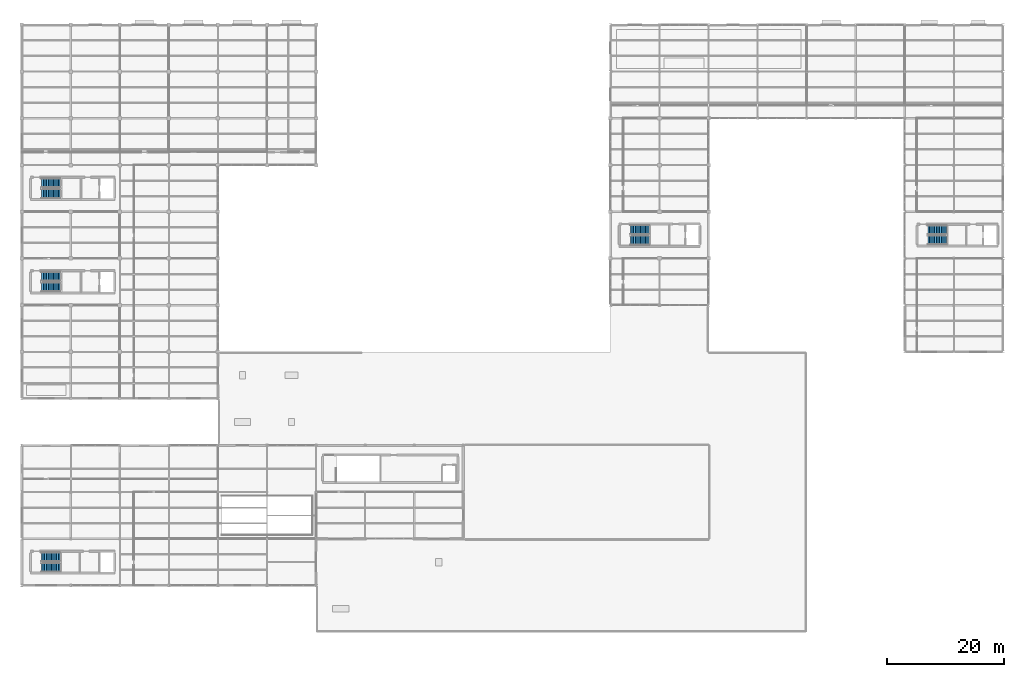
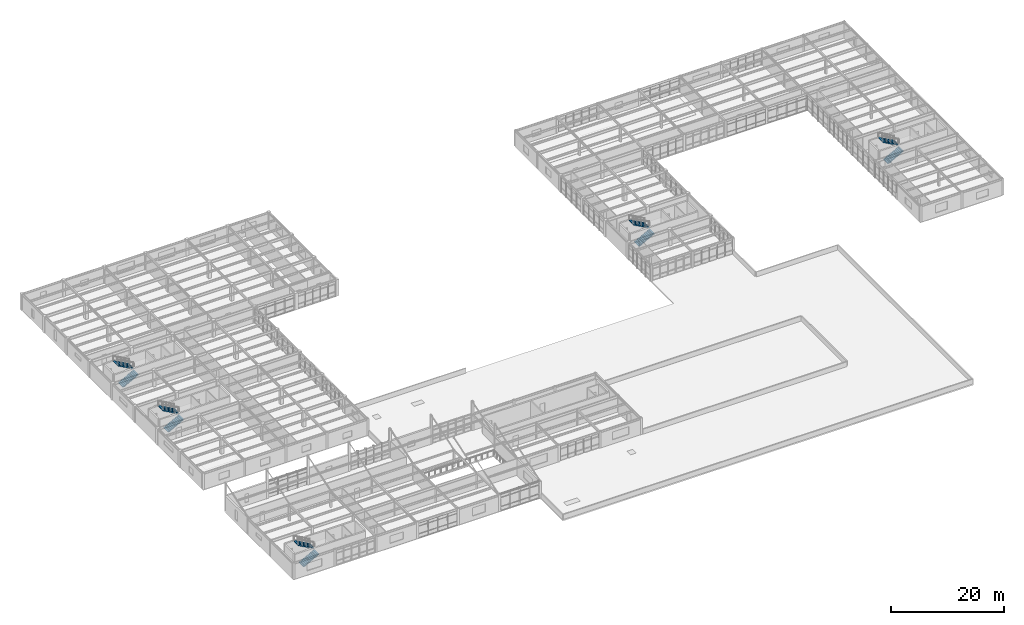
# One storey, part 55 of 96: 10 stair flights, 5 elements without a shape of their own.
"""IFC4 building model written with IfcOpenShell, lengths in metres."""

import ifcopenshell
import ifcopenshell.guid

model = None  # the IFC model being written
_history = None  # IfcOwnerHistory: only IFC2X3 demands one
_inside = {}  # id of a spatial element -> (the spatial element, [elements in it])
_under = {}  # id of a project, library or spatial element -> (it, [spatial elements below it])
_declared = {}  # id of a project -> (the project, [libraries it declares])
_typed = {}  # id of a type object -> (the type object, [elements of that type])
_made_of = {}  # id of a material, layer set ... -> (it, [elements and type objects made of it])


def new_model(schema):
    """Start an empty IFC model of exactly this schema.

    Asked for "IFC4X3", IfcOpenShell would pick the latest addendum, in which some entities
    have other attributes; the version numbers below select the first issue.
    IFC2X3 requires an IfcOwnerHistory on every rooted entity: one is made here for all.
    """
    global model, _history
    if schema == "IFC4X3":
        model = ifcopenshell.file(schema_version=(4, 3, 0, 0))
    else:
        model = ifcopenshell.file(schema=schema)
    _inside.clear()
    _under.clear()
    _declared.clear()
    _typed.clear()
    _made_of.clear()
    _history = None
    if model.schema == "IFC2X3":
        org = make("IfcOrganization", Name="unknown")
        user = make(
            "IfcPersonAndOrganization",
            ThePerson=make("IfcPerson", FamilyName="unknown"),
            TheOrganization=org,
        )
        app = make(
            "IfcApplication",
            ApplicationDeveloper=org,
            Version="unknown",
            ApplicationFullName="unknown",
            ApplicationIdentifier="unknown",
        )
        _history = make(
            "IfcOwnerHistory",
            OwningUser=user,
            OwningApplication=app,
            ChangeAction="ADDED",
            CreationDate=0,
        )
    return model


def make(cls, **values):
    """One entity of the class cls with the attributes given. An attribute that is None is left unset."""
    return model.create_entity(
        cls, **{name: value for name, value in values.items() if value is not None}
    )


def rooted(cls, **values):
    """An entity with a GlobalId (a new one), such as an element, a storey or a relation."""
    return make(cls, GlobalId=ifcopenshell.guid.new(), OwnerHistory=_history, **values)


def si_unit(unit_type, name, prefix=None):
    """IfcSIUnit, for example si_unit("LENGTHUNIT", "METRE", prefix="MILLI")."""
    return make("IfcSIUnit", UnitType=unit_type, Prefix=prefix, Name=name)


def assignment(units):
    """IfcUnitAssignment: the units of a project."""
    return None if units is None else make("IfcUnitAssignment", Units=units)


def point(xyz):
    """IfcCartesianPoint."""
    return None if xyz is None else make("IfcCartesianPoint", Coordinates=xyz)


def direction(xyz):
    """IfcDirection."""
    return None if xyz is None else make("IfcDirection", DirectionRatios=xyz)


def frame(location, z_axis=None, x_axis=None):
    """IfcAxis2Placement3D, a coordinate frame: its origin and axes. An axis left out is left unset."""
    return make(
        "IfcAxis2Placement3D",
        Location=point(location),
        Axis=direction(z_axis),
        RefDirection=direction(x_axis),
    )


def origin():
    """The frame at (0, 0, 0) with its axes left unset."""
    return frame((0.0, 0.0, 0.0))


def place(relative_to, where):
    """IfcLocalPlacement: puts the frame where relative to a parent placement (None: the world)."""
    return make(
        "IfcLocalPlacement", PlacementRelTo=relative_to, RelativePlacement=where
    )


def context(
    kind, dimensions, precision=None, world=None, true_north=None, identifier=None
):
    """IfcGeometricRepresentationContext, for example the 3D "Model" context."""
    return make(
        "IfcGeometricRepresentationContext",
        ContextIdentifier=identifier,
        ContextType=kind,
        CoordinateSpaceDimension=dimensions,
        Precision=precision,
        WorldCoordinateSystem=world,
        TrueNorth=true_north,
    )


def subcontext(parent, identifier, kind, view, scale=None):
    """IfcGeometricRepresentationSubContext, for example "Body" below "Model"."""
    return make(
        "IfcGeometricRepresentationSubContext",
        ContextIdentifier=identifier,
        ContextType=kind,
        ParentContext=parent,
        TargetScale=scale,
        TargetView=view,
    )


def project(units=None, contexts=None):
    """IfcProject with its units and contexts."""
    return rooted(
        "IfcProject",
        Name="project",
        RepresentationContexts=contexts,
        UnitsInContext=assignment(units),
    )


def spatial(cls, under=None, at=None, **own):
    """A site, building, storey or space (cls), placed at a placement, below another one or the project."""
    s = rooted(cls, ObjectPlacement=at, **own)
    if under is not None:
        _under.setdefault(under.id(), (under, []))[1].append(s)
    return s


def polyline(points):
    """IfcPolyline through the points."""
    return make("IfcPolyline", Points=[point(p) for p in points])


def outline(outer, holes=None, kind="AREA"):
    """IfcArbitraryClosedProfileDef: a profile drawn as a closed curve; with holes, ...WithVoids."""
    if holes is None:
        return make("IfcArbitraryClosedProfileDef", ProfileType=kind, OuterCurve=outer)
    return make(
        "IfcArbitraryProfileDefWithVoids",
        ProfileType=kind,
        OuterCurve=outer,
        InnerCurves=holes,
    )


def extrude(swept, where, along, depth):
    """IfcExtrudedAreaSolid: the profile swept, set in the frame where, extruded along a direction by depth."""
    return make(
        "IfcExtrudedAreaSolid",
        SweptArea=swept,
        Position=where,
        ExtrudedDirection=direction(along),
        Depth=depth,
    )


def shape(context_of_items, identifier, shape_type, items):
    """IfcShapeRepresentation: the items that make up one representation, for example the "Body"."""
    return make(
        "IfcShapeRepresentation",
        ContextOfItems=context_of_items,
        RepresentationIdentifier=identifier,
        RepresentationType=shape_type,
        Items=items,
    )


def material(Name=None, Category=None):
    """IfcMaterial."""
    return make("IfcMaterial", Name=Name, Category=Category)


def made_of(thing, what):
    """Note that an element or type object is made of a material, layer set ...; save() writes the relation."""
    if what is not None:
        _made_of.setdefault(what.id(), (what, []))[1].append(thing)
    return thing


def type_object(cls, material=None, **own):
    """A type object (cls), such as IfcWallType, which elements share."""
    return made_of(rooted(cls, **own), material)


def element(
    cls,
    number,
    at=None,
    inside=None,
    cuts=None,
    type_object=None,
    material=None,
    context=None,
    identifier="Body",
    shape_type=None,
    held_by="IfcProductDefinitionShape",
    body=None,
    shapes=None,
    **own,
):
    """One element of the class cls, such as IfcWall. Its Tag is "e" and its number.

    at: its placement. inside: the storey or other place that contains it. cuts: it is an
    opening in that element (IfcRelVoidsElement). A single representation is given by context,
    identifier, shape_type and body (its items); several are given by shapes. held_by: the class
    of the entity that holds the representations. save() writes the other relations.
    """
    e = rooted(cls, Tag="e%d" % number, ObjectPlacement=at, **own)
    if body is not None:
        shapes = [shape(context, identifier, shape_type, body)]
    if shapes is not None:
        e.Representation = make(held_by, Representations=shapes)
    if inside is not None:
        _inside.setdefault(inside.id(), (inside, []))[1].append(e)
    if cuts is not None:
        rooted(
            "IfcRelVoidsElement", RelatingBuildingElement=cuts, RelatedOpeningElement=e
        )
    if type_object is not None:
        _typed.setdefault(type_object.id(), (type_object, []))[1].append(e)
    return made_of(e, material)


def aggregate(whole, parts):
    """IfcRelAggregates: a whole, such as a stair, and the parts it consists of."""
    return rooted("IfcRelAggregates", RelatingObject=whole, RelatedObjects=parts)


def save(model, path):
    """Write the relations noted so far, then the file.

    IfcRelAggregates (storeys below a building ...), IfcRelContainedInSpatialStructure (elements
    in a storey), IfcRelDefinesByType, IfcRelAssociatesMaterial and IfcRelDeclares: one each for
    every whole, place, type object, material and project.
    """
    for whole, parts in _under.values():
        aggregate(whole, parts)
    for where, things in _inside.values():
        rooted(
            "IfcRelContainedInSpatialStructure",
            RelatedElements=things,
            RelatingStructure=where,
        )
    for kind, things in _typed.values():
        rooted("IfcRelDefinesByType", RelatedObjects=things, RelatingType=kind)
    for what, things in _made_of.values():
        rooted("IfcRelAssociatesMaterial", RelatedObjects=things, RelatingMaterial=what)
    for by, libraries in _declared.values():
        rooted("IfcRelDeclares", RelatingContext=by, RelatedDefinitions=libraries)
    model.write(path)


model = new_model("IFC4")

# Units and contexts
model_context = context("Model", 3, precision=1e-05, world=origin(), true_north=direction((0.0, 1.0)))
body_context = subcontext(model_context, "Body", "Model", "MODEL_VIEW")
ifc_project = project(units=[si_unit("LENGTHUNIT", "METRE"), si_unit("AREAUNIT", "SQUARE_METRE"), si_unit("VOLUMEUNIT", "CUBIC_METRE"), si_unit("PLANEANGLEUNIT", "RADIAN"), si_unit("MASSUNIT", "GRAM", prefix="KILO")], contexts=[model_context])

# Site, building, storey
site_placement = place(None, origin())
site = spatial("IfcSite", under=ifc_project, at=site_placement, CompositionType="ELEMENT")
building_placement = place(site_placement, origin())
building = spatial("IfcBuilding", under=site, at=building_placement, Name="Kranzveld Transit Interchange", CompositionType="ELEMENT")
storey_placement = place(building_placement, frame((0.0, 0.0, 9.52001953125)))
storey = spatial("IfcBuildingStorey", under=building, at=storey_placement, Name="L02", CompositionType="ELEMENT", Elevation=9.52001953125)

# Stair, stair flights
ifc_material_1 = material(Name="Concrete C35/45", Category="concrete")
stair_type_1 = type_object("IfcStairType", Name="Dogleg Stair 1600W H3840 C35/45", PredefinedType="HALF_TURN_STAIR", material=ifc_material_1)
stair_1_placement = place(storey_placement, origin())
stair_1 = element("IfcStair", 1, at=stair_1_placement, inside=storey, type_object=stair_type_1, Name="L02 Community East Core C4", PredefinedType="HALF_TURN_STAIR")
ifc_material_2 = material(Name="Concrete C35/45", Category="concrete")
stair_flight_type_1 = type_object("IfcStairFlightType", Name="Stair Flight 1600W H3840 C35/45", PredefinedType="STRAIGHT", material=ifc_material_2)
stair_flight_1_placement = place(storey_placement, frame((155.14990234375, 75.1201171875, 0.0), z_axis=(0.0, 0.0, 1.0), x_axis=(1.0, 0.0, 0.0)))
stair_flight_1 = element("IfcStairFlight", 2, at=stair_flight_1_placement, type_object=stair_flight_type_1, Name="ST-V4B flight 1", NumberOfRisers=12, NumberOfTreads=11, PredefinedType="STRAIGHT", RiserHeight=0.16, TreadLength=0.29, context=body_context, shape_type="SweptSolid", body=[
    extrude(outline(polyline([(0.0, 0.0), (0.0, 0.159912109375), (0.2900390625, 0.159912109375), (0.2900390625, 0.320068359375), (0.580078125, 0.320068359375), (0.580078125, 0.47998046875), (0.8701171875, 0.47998046875), (0.8701171875, 0.639892578125), (1.159912109375, 0.639892578125), (1.159912109375, 0.800048828125), (1.449951171875, 0.800048828125), (1.449951171875, 0.9599609375), (1.739990234375, 0.9599609375), (1.739990234375, 1.1201171875), (2.030029296875, 1.1201171875), (2.030029296875, 1.280029296875), (2.320068359375, 1.280029296875), (2.320068359375, 1.43994140625), (2.610107421875, 1.43994140625), (2.610107421875, 1.60009765625), (2.89990234375, 1.60009765625), (2.89990234375, 1.760009765625), (3.18994140625, 1.760009765625), (3.18994140625, 1.919921875), (3.18994140625, 1.577392578125), (0.3310546875, 0.0), (0.0, 0.0)])), frame((0.0, 0.800048828125, 0.0), z_axis=(0.0, -1.0, 0.0), x_axis=(1.0, 0.0, 0.0)), (0.0, 0.0, 1.0), 1.60009765625),
])
stair_flight_2_placement = place(storey_placement, frame((158.340087890625, 76.8798828125, 1.919921875), z_axis=(0.0, 0.0, 1.0), x_axis=(-1.0, 0.0, 0.0)))
stair_flight_2 = element("IfcStairFlight", 3, at=stair_flight_2_placement, type_object=stair_flight_type_1, Name="ST-V4B flight 2", NumberOfRisers=12, NumberOfTreads=11, PredefinedType="STRAIGHT", RiserHeight=0.16, TreadLength=0.29, context=body_context, shape_type="SweptSolid", body=[
    extrude(outline(polyline([(0.0, 0.0), (0.0, 0.159912109375), (0.2900390625, 0.159912109375), (0.2900390625, 0.320068359375), (0.580078125, 0.320068359375), (0.580078125, 0.47998046875), (0.8701171875, 0.47998046875), (0.8701171875, 0.639892578125), (1.159912109375, 0.639892578125), (1.159912109375, 0.800048828125), (1.449951171875, 0.800048828125), (1.449951171875, 0.9599609375), (1.739990234375, 0.9599609375), (1.739990234375, 1.1201171875), (2.030029296875, 1.1201171875), (2.030029296875, 1.280029296875), (2.320068359375, 1.280029296875), (2.320068359375, 1.43994140625), (2.610107421875, 1.43994140625), (2.610107421875, 1.60009765625), (2.89990234375, 1.60009765625), (2.89990234375, 1.760009765625), (3.18994140625, 1.760009765625), (3.18994140625, 1.919921875), (3.18994140625, 1.577392578125), (0.3310546875, 0.0), (0.0, 0.0)])), frame((0.0, 0.800048828125, 0.0), z_axis=(0.0, -1.0, 0.0), x_axis=(1.0, 0.0, 0.0)), (0.0, 0.0, 1.0), 1.60009765625),
])
aggregate(stair_1, [stair_flight_1, stair_flight_2])

stair_2_placement = place(storey_placement, origin())
stair_2 = element("IfcStair", 4, at=stair_2_placement, inside=storey, type_object=stair_type_1, Name="L02 Cycle Hub Core C7", PredefinedType="HALF_TURN_STAIR")
stair_flight_3_placement = place(storey_placement, frame((3.35009765625, 19.1201171875, 0.0), z_axis=(0.0, 0.0, 1.0), x_axis=(1.0, 0.0, 0.0)))
stair_flight_3 = element("IfcStairFlight", 5, at=stair_flight_3_placement, type_object=stair_flight_type_1, Name="ST-CY1 flight 1", NumberOfRisers=12, NumberOfTreads=11, PredefinedType="STRAIGHT", RiserHeight=0.16, TreadLength=0.29, context=body_context, shape_type="SweptSolid", body=[
    extrude(outline(polyline([(0.0, 0.0), (0.0, 0.159912109375), (0.2900390625, 0.159912109375), (0.2900390625, 0.320068359375), (0.580078125, 0.320068359375), (0.580078125, 0.47998046875), (0.8701171875, 0.47998046875), (0.8701171875, 0.639892578125), (1.159912109375, 0.639892578125), (1.159912109375, 0.800048828125), (1.449951171875, 0.800048828125), (1.449951171875, 0.9599609375), (1.739990234375, 0.9599609375), (1.739990234375, 1.1201171875), (2.030029296875, 1.1201171875), (2.030029296875, 1.280029296875), (2.320068359375, 1.280029296875), (2.320068359375, 1.43994140625), (2.610107421875, 1.43994140625), (2.610107421875, 1.60009765625), (2.89990234375, 1.60009765625), (2.89990234375, 1.760009765625), (3.18994140625, 1.760009765625), (3.18994140625, 1.919921875), (3.18994140625, 1.577392578125), (0.3310546875, 0.0), (0.0, 0.0)])), frame((0.0, 0.800048828125, 0.0), z_axis=(0.0, -1.0, 0.0), x_axis=(1.0, 0.0, 0.0)), (0.0, 0.0, 1.0), 1.60009765625),
])
stair_flight_4_placement = place(storey_placement, frame((6.5400390625, 20.8798828125, 1.919921875), z_axis=(0.0, 0.0, 1.0), x_axis=(-1.0, 0.0, 0.0)))
stair_flight_4 = element("IfcStairFlight", 6, at=stair_flight_4_placement, type_object=stair_flight_type_1, Name="ST-CY1 flight 2", NumberOfRisers=12, NumberOfTreads=11, PredefinedType="STRAIGHT", RiserHeight=0.16, TreadLength=0.29, context=body_context, shape_type="SweptSolid", body=[
    extrude(outline(polyline([(0.0, 0.0), (0.0, 0.159912109375), (0.2900390625, 0.159912109375), (0.2900390625, 0.320068359375), (0.580078125, 0.320068359375), (0.580078125, 0.47998046875), (0.8701171875, 0.47998046875), (0.8701171875, 0.639892578125), (1.159912109375, 0.639892578125), (1.159912109375, 0.800048828125), (1.449951171875, 0.800048828125), (1.449951171875, 0.9599609375), (1.739990234375, 0.9599609375), (1.739990234375, 1.1201171875), (2.030029296875, 1.1201171875), (2.030029296875, 1.280029296875), (2.320068359375, 1.280029296875), (2.320068359375, 1.43994140625), (2.610107421875, 1.43994140625), (2.610107421875, 1.60009765625), (2.89990234375, 1.60009765625), (2.89990234375, 1.760009765625), (3.18994140625, 1.760009765625), (3.18994140625, 1.919921875), (3.18994140625, 1.577392578125), (0.3310546875, 0.0), (0.0, 0.0)])), frame((0.0, 0.800048828125, 0.0), z_axis=(0.0, -1.0, 0.0), x_axis=(1.0, 0.0, 0.0)), (0.0, 0.0, 1.0), 1.60009765625),
])
aggregate(stair_2, [stair_flight_3, stair_flight_4])

ifc_material_3 = material(Name="Concrete C35/45", Category="concrete")
stair_type_2 = type_object("IfcStairType", Name="Dogleg Stair 1650W H3840 C35/45", PredefinedType="HALF_TURN_STAIR", material=ifc_material_3)
stair_3_placement = place(storey_placement, origin())
stair_3 = element("IfcStair", 7, at=stair_3_placement, inside=storey, type_object=stair_type_2, Name="L02 Operations Core C1", PredefinedType="HALF_TURN_STAIR")
ifc_material_4 = material(Name="Concrete C35/45", Category="concrete")
stair_flight_type_2 = type_object("IfcStairFlightType", Name="Stair Flight 1650W H3840 C35/45", PredefinedType="STRAIGHT", material=ifc_material_4)
stair_flight_5_placement = place(storey_placement, frame((3.39990234375, 67.094970703125, 0.0), z_axis=(0.0, 0.0, 1.0), x_axis=(1.0, 0.0, 0.0)))
stair_flight_5 = element("IfcStairFlight", 8, at=stair_flight_5_placement, type_object=stair_flight_type_2, Name="ST-C1 flight 1", NumberOfRisers=12, NumberOfTreads=11, PredefinedType="STRAIGHT", RiserHeight=0.16, TreadLength=0.29, context=body_context, shape_type="SweptSolid", body=[
    extrude(outline(polyline([(0.0, 0.0), (0.0, 0.159912109375), (0.2900390625, 0.159912109375), (0.2900390625, 0.320068359375), (0.580078125, 0.320068359375), (0.580078125, 0.47998046875), (0.8701171875, 0.47998046875), (0.8701171875, 0.639892578125), (1.159912109375, 0.639892578125), (1.159912109375, 0.800048828125), (1.449951171875, 0.800048828125), (1.449951171875, 0.9599609375), (1.739990234375, 0.9599609375), (1.739990234375, 1.1201171875), (2.030029296875, 1.1201171875), (2.030029296875, 1.280029296875), (2.320068359375, 1.280029296875), (2.320068359375, 1.43994140625), (2.610107421875, 1.43994140625), (2.610107421875, 1.60009765625), (2.89990234375, 1.60009765625), (2.89990234375, 1.760009765625), (3.18994140625, 1.760009765625), (3.18994140625, 1.919921875), (3.18994140625, 1.577392578125), (0.3310546875, 0.0), (0.0, 0.0)])), frame((0.0, 0.824951171875, 0.0), z_axis=(0.0, -1.0, 0.0), x_axis=(1.0, 0.0, 0.0)), (0.0, 0.0, 1.0), 1.64990234375),
])
stair_flight_6_placement = place(storey_placement, frame((6.590087890625, 68.905029296875, 1.919921875), z_axis=(0.0, 0.0, 1.0), x_axis=(-1.0, 0.0, 0.0)))
stair_flight_6 = element("IfcStairFlight", 9, at=stair_flight_6_placement, type_object=stair_flight_type_2, Name="ST-C1 flight 2", NumberOfRisers=12, NumberOfTreads=11, PredefinedType="STRAIGHT", RiserHeight=0.16, TreadLength=0.29, context=body_context, shape_type="SweptSolid", body=[
    extrude(outline(polyline([(0.0, 0.0), (0.0, 0.159912109375), (0.2900390625, 0.159912109375), (0.2900390625, 0.320068359375), (0.580078125, 0.320068359375), (0.580078125, 0.47998046875), (0.8701171875, 0.47998046875), (0.8701171875, 0.639892578125), (1.159912109375, 0.639892578125), (1.159912109375, 0.800048828125), (1.449951171875, 0.800048828125), (1.449951171875, 0.9599609375), (1.739990234375, 0.9599609375), (1.739990234375, 1.1201171875), (2.030029296875, 1.1201171875), (2.030029296875, 1.280029296875), (2.320068359375, 1.280029296875), (2.320068359375, 1.43994140625), (2.610107421875, 1.43994140625), (2.610107421875, 1.60009765625), (2.89990234375, 1.60009765625), (2.89990234375, 1.760009765625), (3.18994140625, 1.760009765625), (3.18994140625, 1.919921875), (3.18994140625, 1.577392578125), (0.3310546875, 0.0), (0.0, 0.0)])), frame((0.0, 0.824951171875, 0.0), z_axis=(0.0, -1.0, 0.0), x_axis=(1.0, 0.0, 0.0)), (0.0, 0.0, 1.0), 1.64990234375),
])
aggregate(stair_3, [stair_flight_5, stair_flight_6])

stair_4_placement = place(storey_placement, origin())
stair_4 = element("IfcStair", 10, at=stair_4_placement, inside=storey, type_object=stair_type_2, Name="L02 Operations Core C2", PredefinedType="HALF_TURN_STAIR")
stair_flight_7_placement = place(storey_placement, frame((3.39990234375, 83.094970703125, 0.0), z_axis=(0.0, 0.0, 1.0), x_axis=(1.0, 0.0, 0.0)))
stair_flight_7 = element("IfcStairFlight", 11, at=stair_flight_7_placement, type_object=stair_flight_type_2, Name="ST-C2 flight 1", NumberOfRisers=12, NumberOfTreads=11, PredefinedType="STRAIGHT", RiserHeight=0.16, TreadLength=0.29, context=body_context, shape_type="SweptSolid", body=[
    extrude(outline(polyline([(0.0, 0.0), (0.0, 0.159912109375), (0.2900390625, 0.159912109375), (0.2900390625, 0.320068359375), (0.580078125, 0.320068359375), (0.580078125, 0.47998046875), (0.8701171875, 0.47998046875), (0.8701171875, 0.639892578125), (1.159912109375, 0.639892578125), (1.159912109375, 0.800048828125), (1.449951171875, 0.800048828125), (1.449951171875, 0.9599609375), (1.739990234375, 0.9599609375), (1.739990234375, 1.1201171875), (2.030029296875, 1.1201171875), (2.030029296875, 1.280029296875), (2.320068359375, 1.280029296875), (2.320068359375, 1.43994140625), (2.610107421875, 1.43994140625), (2.610107421875, 1.60009765625), (2.89990234375, 1.60009765625), (2.89990234375, 1.760009765625), (3.18994140625, 1.760009765625), (3.18994140625, 1.919921875), (3.18994140625, 1.577392578125), (0.3310546875, 0.0), (0.0, 0.0)])), frame((0.0, 0.824951171875, 0.0), z_axis=(0.0, -1.0, 0.0), x_axis=(1.0, 0.0, 0.0)), (0.0, 0.0, 1.0), 1.64990234375),
])
stair_flight_8_placement = place(storey_placement, frame((6.590087890625, 84.905029296875, 1.919921875), z_axis=(0.0, 0.0, 1.0), x_axis=(-1.0, 0.0, 0.0)))
stair_flight_8 = element("IfcStairFlight", 12, at=stair_flight_8_placement, type_object=stair_flight_type_2, Name="ST-C2 flight 2", NumberOfRisers=12, NumberOfTreads=11, PredefinedType="STRAIGHT", RiserHeight=0.16, TreadLength=0.29, context=body_context, shape_type="SweptSolid", body=[
    extrude(outline(polyline([(0.0, 0.0), (0.0, 0.159912109375), (0.2900390625, 0.159912109375), (0.2900390625, 0.320068359375), (0.580078125, 0.320068359375), (0.580078125, 0.47998046875), (0.8701171875, 0.47998046875), (0.8701171875, 0.639892578125), (1.159912109375, 0.639892578125), (1.159912109375, 0.800048828125), (1.449951171875, 0.800048828125), (1.449951171875, 0.9599609375), (1.739990234375, 0.9599609375), (1.739990234375, 1.1201171875), (2.030029296875, 1.1201171875), (2.030029296875, 1.280029296875), (2.320068359375, 1.280029296875), (2.320068359375, 1.43994140625), (2.610107421875, 1.43994140625), (2.610107421875, 1.60009765625), (2.89990234375, 1.60009765625), (2.89990234375, 1.760009765625), (3.18994140625, 1.760009765625), (3.18994140625, 1.919921875), (3.18994140625, 1.577392578125), (0.3310546875, 0.0), (0.0, 0.0)])), frame((0.0, 0.824951171875, 0.0), z_axis=(0.0, -1.0, 0.0), x_axis=(1.0, 0.0, 0.0)), (0.0, 0.0, 1.0), 1.64990234375),
])
aggregate(stair_4, [stair_flight_7, stair_flight_8])

stair_5_placement = place(storey_placement, origin())
stair_5 = element("IfcStair", 13, at=stair_5_placement, inside=storey, type_object=stair_type_2, Name="L02 Community Core C3", PredefinedType="HALF_TURN_STAIR")
stair_flight_9_placement = place(storey_placement, frame((104.199951171875, 75.094970703125, 0.0), z_axis=(0.0, 0.0, 1.0), x_axis=(1.0, 0.0, 0.0)))
stair_flight_9 = element("IfcStairFlight", 14, at=stair_flight_9_placement, type_object=stair_flight_type_2, Name="ST-V4A flight 1", NumberOfRisers=12, NumberOfTreads=11, PredefinedType="STRAIGHT", RiserHeight=0.16, TreadLength=0.29, context=body_context, shape_type="SweptSolid", body=[
    extrude(outline(polyline([(0.0, 0.0), (0.0, 0.159912109375), (0.2900390625, 0.159912109375), (0.2900390625, 0.320068359375), (0.580078125, 0.320068359375), (0.580078125, 0.47998046875), (0.8701171875, 0.47998046875), (0.8701171875, 0.639892578125), (1.159912109375, 0.639892578125), (1.159912109375, 0.800048828125), (1.449951171875, 0.800048828125), (1.449951171875, 0.9599609375), (1.739990234375, 0.9599609375), (1.739990234375, 1.1201171875), (2.030029296875, 1.1201171875), (2.030029296875, 1.280029296875), (2.320068359375, 1.280029296875), (2.320068359375, 1.43994140625), (2.610107421875, 1.43994140625), (2.610107421875, 1.60009765625), (2.89990234375, 1.60009765625), (2.89990234375, 1.760009765625), (3.18994140625, 1.760009765625), (3.18994140625, 1.919921875), (3.18994140625, 1.577392578125), (0.3310546875, 0.0), (0.0, 0.0)])), frame((0.0, 0.824951171875, 0.0), z_axis=(0.0, -1.0, 0.0), x_axis=(1.0, 0.0, 0.0)), (0.0, 0.0, 1.0), 1.64990234375),
])
stair_flight_10_placement = place(storey_placement, frame((107.389892578125, 76.905029296875, 1.919921875), z_axis=(0.0, 0.0, 1.0), x_axis=(-1.0, 0.0, 0.0)))
stair_flight_10 = element("IfcStairFlight", 15, at=stair_flight_10_placement, type_object=stair_flight_type_2, Name="ST-V4A flight 2", NumberOfRisers=12, NumberOfTreads=11, PredefinedType="STRAIGHT", RiserHeight=0.16, TreadLength=0.29, context=body_context, shape_type="SweptSolid", body=[
    extrude(outline(polyline([(0.0, 0.0), (0.0, 0.159912109375), (0.2900390625, 0.159912109375), (0.2900390625, 0.320068359375), (0.580078125, 0.320068359375), (0.580078125, 0.47998046875), (0.8701171875, 0.47998046875), (0.8701171875, 0.639892578125), (1.159912109375, 0.639892578125), (1.159912109375, 0.800048828125), (1.449951171875, 0.800048828125), (1.449951171875, 0.9599609375), (1.739990234375, 0.9599609375), (1.739990234375, 1.1201171875), (2.030029296875, 1.1201171875), (2.030029296875, 1.280029296875), (2.320068359375, 1.280029296875), (2.320068359375, 1.43994140625), (2.610107421875, 1.43994140625), (2.610107421875, 1.60009765625), (2.89990234375, 1.60009765625), (2.89990234375, 1.760009765625), (3.18994140625, 1.760009765625), (3.18994140625, 1.919921875), (3.18994140625, 1.577392578125), (0.3310546875, 0.0), (0.0, 0.0)])), frame((0.0, 0.824951171875, 0.0), z_axis=(0.0, -1.0, 0.0), x_axis=(1.0, 0.0, 0.0)), (0.0, 0.0, 1.0), 1.64990234375),
])
aggregate(stair_5, [stair_flight_9, stair_flight_10])

save(model, "model.ifc")
